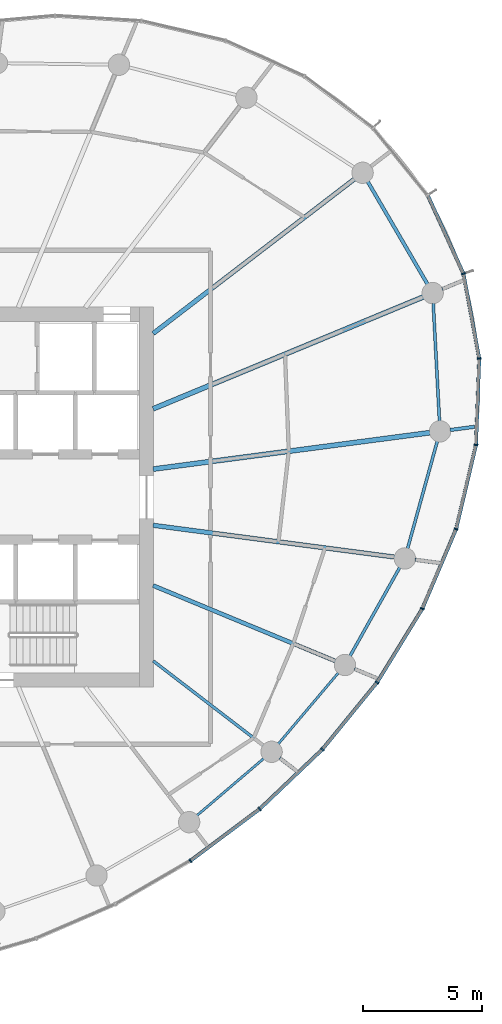
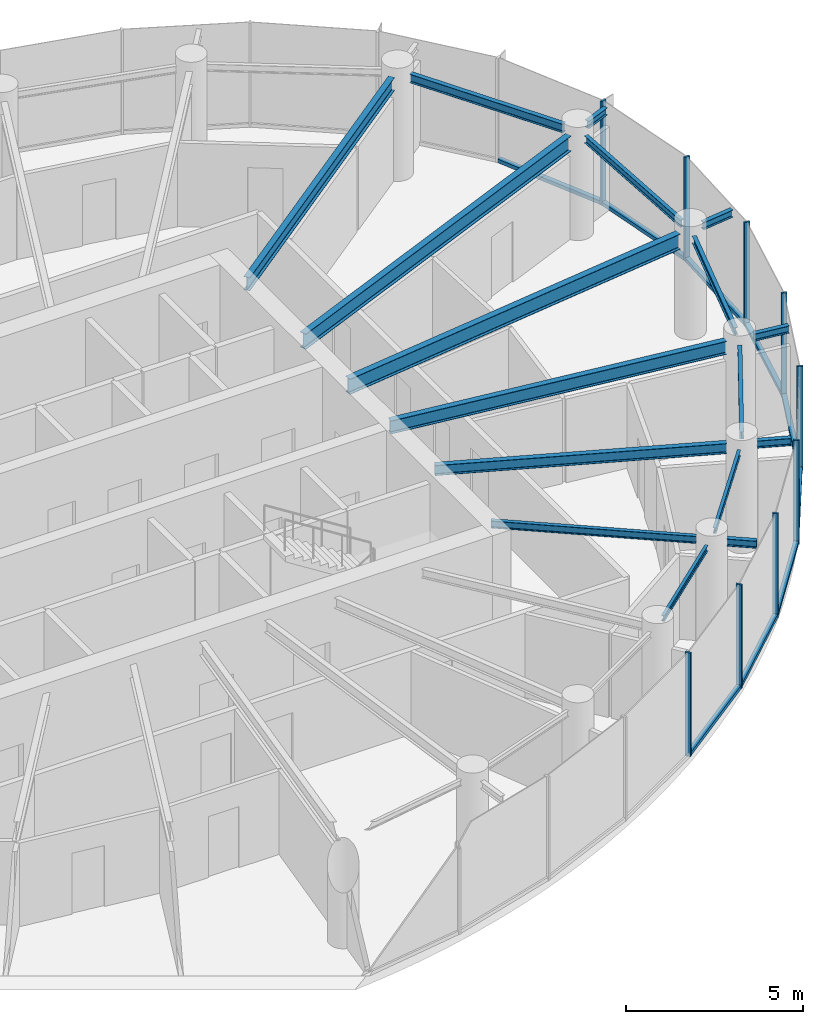
# One storey, part 5 of 15: 18 members, 17 beams, 2 elements without a shape of their own.
"""IFC4 building model written with IfcOpenShell, lengths in metres."""

import ifcopenshell
import ifcopenshell.guid

model = None  # the IFC model being written
_history = None  # IfcOwnerHistory: only IFC2X3 demands one
_inside = {}  # id of a spatial element -> (the spatial element, [elements in it])
_under = {}  # id of a project, library or spatial element -> (it, [spatial elements below it])
_declared = {}  # id of a project -> (the project, [libraries it declares])
_typed = {}  # id of a type object -> (the type object, [elements of that type])
_made_of = {}  # id of a material, layer set ... -> (it, [elements and type objects made of it])


def new_model(schema):
    """Start an empty IFC model of exactly this schema.

    Asked for "IFC4X3", IfcOpenShell would pick the latest addendum, in which some entities
    have other attributes; the version numbers below select the first issue.
    IFC2X3 requires an IfcOwnerHistory on every rooted entity: one is made here for all.
    """
    global model, _history
    if schema == "IFC4X3":
        model = ifcopenshell.file(schema_version=(4, 3, 0, 0))
    else:
        model = ifcopenshell.file(schema=schema)
    _inside.clear()
    _under.clear()
    _declared.clear()
    _typed.clear()
    _made_of.clear()
    _history = None
    if model.schema == "IFC2X3":
        org = make("IfcOrganization", Name="unknown")
        user = make(
            "IfcPersonAndOrganization",
            ThePerson=make("IfcPerson", FamilyName="unknown"),
            TheOrganization=org,
        )
        app = make(
            "IfcApplication",
            ApplicationDeveloper=org,
            Version="unknown",
            ApplicationFullName="unknown",
            ApplicationIdentifier="unknown",
        )
        _history = make(
            "IfcOwnerHistory",
            OwningUser=user,
            OwningApplication=app,
            ChangeAction="ADDED",
            CreationDate=0,
        )
    return model


def make(cls, **values):
    """One entity of the class cls with the attributes given. An attribute that is None is left unset."""
    return model.create_entity(
        cls, **{name: value for name, value in values.items() if value is not None}
    )


def rooted(cls, **values):
    """An entity with a GlobalId (a new one), such as an element, a storey or a relation."""
    return make(cls, GlobalId=ifcopenshell.guid.new(), OwnerHistory=_history, **values)


def si_unit(unit_type, name, prefix=None):
    """IfcSIUnit, for example si_unit("LENGTHUNIT", "METRE", prefix="MILLI")."""
    return make("IfcSIUnit", UnitType=unit_type, Prefix=prefix, Name=name)


def assignment(units):
    """IfcUnitAssignment: the units of a project."""
    return None if units is None else make("IfcUnitAssignment", Units=units)


def point(xyz):
    """IfcCartesianPoint."""
    return None if xyz is None else make("IfcCartesianPoint", Coordinates=xyz)


def direction(xyz):
    """IfcDirection."""
    return None if xyz is None else make("IfcDirection", DirectionRatios=xyz)


def frame(location, z_axis=None, x_axis=None):
    """IfcAxis2Placement3D, a coordinate frame: its origin and axes. An axis left out is left unset."""
    return make(
        "IfcAxis2Placement3D",
        Location=point(location),
        Axis=direction(z_axis),
        RefDirection=direction(x_axis),
    )


def frame_2d(location, x_axis=None):
    """IfcAxis2Placement2D, a coordinate frame in the plane: its origin and x axis."""
    return make(
        "IfcAxis2Placement2D", Location=point(location), RefDirection=direction(x_axis)
    )


def origin():
    """The frame at (0, 0, 0) with its axes left unset."""
    return frame((0.0, 0.0, 0.0))


def origin_2d():
    """The frame at (0, 0) in the plane with its x axis left unset."""
    return frame_2d((0.0, 0.0))


def place(relative_to, where):
    """IfcLocalPlacement: puts the frame where relative to a parent placement (None: the world)."""
    return make(
        "IfcLocalPlacement", PlacementRelTo=relative_to, RelativePlacement=where
    )


def context(
    kind, dimensions, precision=None, world=None, true_north=None, identifier=None
):
    """IfcGeometricRepresentationContext, for example the 3D "Model" context."""
    return make(
        "IfcGeometricRepresentationContext",
        ContextIdentifier=identifier,
        ContextType=kind,
        CoordinateSpaceDimension=dimensions,
        Precision=precision,
        WorldCoordinateSystem=world,
        TrueNorth=true_north,
    )


def subcontext(parent, identifier, kind, view, scale=None):
    """IfcGeometricRepresentationSubContext, for example "Body" below "Model"."""
    return make(
        "IfcGeometricRepresentationSubContext",
        ContextIdentifier=identifier,
        ContextType=kind,
        ParentContext=parent,
        TargetScale=scale,
        TargetView=view,
    )


def project(units=None, contexts=None):
    """IfcProject with its units and contexts."""
    return rooted(
        "IfcProject",
        Name="project",
        RepresentationContexts=contexts,
        UnitsInContext=assignment(units),
    )


def spatial(cls, under=None, at=None, **own):
    """A site, building, storey or space (cls), placed at a placement, below another one or the project."""
    s = rooted(cls, ObjectPlacement=at, **own)
    if under is not None:
        _under.setdefault(under.id(), (under, []))[1].append(s)
    return s


def profile(cls, at=None, kind="AREA", **sizes):
    """A parametric profile (cls). Its sizes go by their IFC names, for example OverallWidth=200.0."""
    return make(cls, ProfileType=kind, Position=at, **sizes)


def rectangle(**sizes):
    """IfcRectangleProfileDef."""
    return profile("IfcRectangleProfileDef", **sizes)


def i_section(**sizes):
    """IfcIShapeProfileDef."""
    return profile("IfcIShapeProfileDef", **sizes)


def extrude(swept, where, along, depth):
    """IfcExtrudedAreaSolid: the profile swept, set in the frame where, extruded along a direction by depth."""
    return make(
        "IfcExtrudedAreaSolid",
        SweptArea=swept,
        Position=where,
        ExtrudedDirection=direction(along),
        Depth=depth,
    )


def shape(context_of_items, identifier, shape_type, items):
    """IfcShapeRepresentation: the items that make up one representation, for example the "Body"."""
    return make(
        "IfcShapeRepresentation",
        ContextOfItems=context_of_items,
        RepresentationIdentifier=identifier,
        RepresentationType=shape_type,
        Items=items,
    )


def source(mapping_origin, context_of_items, identifier, shape_type, items):
    """IfcRepresentationMap: a shape defined once, which mapped items show again and again."""
    return make(
        "IfcRepresentationMap",
        MappingOrigin=mapping_origin,
        MappedRepresentation=shape(context_of_items, identifier, shape_type, items),
    )


def transform(
    local_origin,
    x_axis=None,
    y_axis=None,
    z_axis=None,
    scale=None,
    scale2=None,
    scale3=None,
    uniform=True,
):
    """IfcCartesianTransformationOperator3D, or its non-uniform kind. x_axis, y_axis, z_axis: its Axis1, 2, 3."""
    if uniform:
        return make(
            "IfcCartesianTransformationOperator3D",
            Axis1=direction(x_axis),
            Axis2=direction(y_axis),
            LocalOrigin=point(local_origin),
            Scale=scale,
            Axis3=direction(z_axis),
        )
    return make(
        "IfcCartesianTransformationOperator3DnonUniform",
        Axis1=direction(x_axis),
        Axis2=direction(y_axis),
        LocalOrigin=point(local_origin),
        Scale=scale,
        Axis3=direction(z_axis),
        Scale2=scale2,
        Scale3=scale3,
    )


def mapped(mapping_source, mapping_target):
    """IfcMappedItem: shows the shape of a source again, moved by a transform."""
    return make(
        "IfcMappedItem", MappingSource=mapping_source, MappingTarget=mapping_target
    )


def material(Name=None, Category=None):
    """IfcMaterial."""
    return make("IfcMaterial", Name=Name, Category=Category)


def layer(
    of_material, thickness, ventilated=None, Name=None, Category=None, Priority=None
):
    """IfcMaterialLayer: one layer of a wall or slab, of a material (None: an air gap)."""
    return make(
        "IfcMaterialLayer",
        Material=of_material,
        LayerThickness=thickness,
        IsVentilated=ventilated,
        Name=Name,
        Category=Category,
        Priority=Priority,
    )


def layer_set(layers, Name=None):
    """IfcMaterialLayerSet."""
    return make("IfcMaterialLayerSet", MaterialLayers=layers, LayerSetName=Name)


def material_profile(
    of_material, cross_section, Name=None, Category=None, Priority=None
):
    """IfcMaterialProfile: a cross section and its material."""
    return make(
        "IfcMaterialProfile",
        Name=Name,
        Material=of_material,
        Profile=cross_section,
        Priority=Priority,
        Category=Category,
    )


def profile_set(profiles, Name=None, composite=None):
    """IfcMaterialProfileSet."""
    return make(
        "IfcMaterialProfileSet",
        Name=Name,
        MaterialProfiles=profiles,
        CompositeProfile=composite,
    )


def made_of(thing, what):
    """Note that an element or type object is made of a material, layer set ...; save() writes the relation."""
    if what is not None:
        _made_of.setdefault(what.id(), (what, []))[1].append(thing)
    return thing


def type_object(cls, material=None, **own):
    """A type object (cls), such as IfcWallType, which elements share."""
    return made_of(rooted(cls, **own), material)


def element(
    cls,
    number,
    at=None,
    inside=None,
    cuts=None,
    type_object=None,
    material=None,
    context=None,
    identifier="Body",
    shape_type=None,
    held_by="IfcProductDefinitionShape",
    body=None,
    shapes=None,
    **own,
):
    """One element of the class cls, such as IfcWall. Its Tag is "e" and its number.

    at: its placement. inside: the storey or other place that contains it. cuts: it is an
    opening in that element (IfcRelVoidsElement). A single representation is given by context,
    identifier, shape_type and body (its items); several are given by shapes. held_by: the class
    of the entity that holds the representations. save() writes the other relations.
    """
    e = rooted(cls, Tag="e%d" % number, ObjectPlacement=at, **own)
    if body is not None:
        shapes = [shape(context, identifier, shape_type, body)]
    if shapes is not None:
        e.Representation = make(held_by, Representations=shapes)
    if inside is not None:
        _inside.setdefault(inside.id(), (inside, []))[1].append(e)
    if cuts is not None:
        rooted(
            "IfcRelVoidsElement", RelatingBuildingElement=cuts, RelatedOpeningElement=e
        )
    if type_object is not None:
        _typed.setdefault(type_object.id(), (type_object, []))[1].append(e)
    return made_of(e, material)


def aggregate(whole, parts):
    """IfcRelAggregates: a whole, such as a stair, and the parts it consists of."""
    return rooted("IfcRelAggregates", RelatingObject=whole, RelatedObjects=parts)


def save(model, path):
    """Write the relations noted so far, then the file.

    IfcRelAggregates (storeys below a building ...), IfcRelContainedInSpatialStructure (elements
    in a storey), IfcRelDefinesByType, IfcRelAssociatesMaterial and IfcRelDeclares: one each for
    every whole, place, type object, material and project.
    """
    for whole, parts in _under.values():
        aggregate(whole, parts)
    for where, things in _inside.values():
        rooted(
            "IfcRelContainedInSpatialStructure",
            RelatedElements=things,
            RelatingStructure=where,
        )
    for kind, things in _typed.values():
        rooted("IfcRelDefinesByType", RelatedObjects=things, RelatingType=kind)
    for what, things in _made_of.values():
        rooted("IfcRelAssociatesMaterial", RelatedObjects=things, RelatingMaterial=what)
    for by, libraries in _declared.values():
        rooted("IfcRelDeclares", RelatingContext=by, RelatedDefinitions=libraries)
    model.write(path)


model = new_model("IFC4")

# Units and contexts
model_context = context("Model", 3, precision=1e-05, world=origin(), true_north=direction((0.0, 1.0)))
body_context = subcontext(model_context, "Body", "Model", "MODEL_VIEW")
ifc_project = project(units=[si_unit("LENGTHUNIT", "METRE"), si_unit("AREAUNIT", "SQUARE_METRE"), si_unit("VOLUMEUNIT", "CUBIC_METRE"), si_unit("PLANEANGLEUNIT", "RADIAN"), si_unit("MASSUNIT", "GRAM", prefix="KILO")], contexts=[model_context])

# Site, building, storey
site_placement = place(None, origin())
site = spatial("IfcSite", under=ifc_project, at=site_placement, CompositionType="ELEMENT")
building_placement = place(site_placement, origin())
building = spatial("IfcBuilding", under=site, at=building_placement, Name="Spindrift Exchange Tower", CompositionType="ELEMENT")
storey_placement = place(building_placement, frame((0.0, 0.0, 199.39990234375)))
storey = spatial("IfcBuildingStorey", under=building, at=storey_placement, Name="L48", CompositionType="ELEMENT", Elevation=199.39990234375)

# Beams
ifc_material_1 = material(Name="Steel Grade 300", Category="steel")
ifc_material_profile_1 = material_profile(ifc_material_1, i_section(OverallWidth=0.14599609375, OverallDepth=0.251953125, WebThickness=0.006103515625, FlangeThickness=0.008544921875, FilletRadius=0.011962890625, at=origin_2d()), Name="250UB31.4")
ifc_profile_set_1 = profile_set([ifc_material_profile_1], Name="Steel Grade 300")
beam_type_1 = type_object("IfcBeamType", Name="Cantilever Beam 250UB31.4 Steel Grade 300", PredefinedType="BEAM", material=ifc_profile_set_1)
shared_shape_1 = source(origin(), body_context, "Body", "SweptSolid", [
    extrude(i_section(OverallWidth=0.14599609375, OverallDepth=0.251953125, WebThickness=0.006103515625, FlangeThickness=0.008544921875, FilletRadius=0.011962890625, at=origin_2d()), origin(), (0.0, 0.0, 1.0), 0.859619140625),
])
beam_1_placement = place(storey_placement, frame((73.150390625, 56.7607421875, 3.4541015625), z_axis=(0.923923380362, 0.382577557131, 0.0), x_axis=(-0.382577557131, 0.923923380362, 0.0)))
element("IfcBeam", 1, at=beam_1_placement, inside=storey, type_object=beam_type_1, Name="L48 cantilever beam R02T", PredefinedType="BEAM", context=body_context, shape_type="MappedRepresentation", body=[
    mapped(shared_shape_1, transform((0.0, 0.0, 0.0), scale=1.0)),
])
ifc_material_profile_2 = material_profile(ifc_material_1, i_section(OverallWidth=0.208984375, OverallDepth=0.528076171875, WebThickness=0.009521484375, FlangeThickness=0.01318359375, FilletRadius=0.013916015625, at=origin_2d()), Name="530UB82.0")
ifc_profile_set_2 = profile_set([ifc_material_profile_2], Name="Steel Grade 300")
beam_type_2 = type_object("IfcBeamType", Name="Floor Beam 530UB82.0 Steel Grade 300", PredefinedType="BEAM", material=ifc_profile_set_2)
shared_shape_2 = source(origin(), body_context, "Body", "SweptSolid", [
    extrude(i_section(OverallWidth=0.208984375, OverallDepth=0.528076171875, WebThickness=0.009521484375, FlangeThickness=0.01318359375, FilletRadius=0.013916015625, at=origin_2d()), origin(), (0.0, 0.0, 1.0), 11.75634765625),
])
beam_2_placement = place(storey_placement, frame((60.980224609375, 49.182373046875, 3.316162109375), z_axis=(0.991445811455, 0.13051897543, 0.0), x_axis=(-0.13051897543, 0.991445811455, 0.0)))
element("IfcBeam", 2, at=beam_2_placement, inside=storey, type_object=beam_type_2, Name="L48 radial beam R01A", PredefinedType="BEAM", context=body_context, shape_type="MappedRepresentation", body=[
    mapped(shared_shape_2, transform((0.0, 0.0, 0.0), scale=1.0)),
])
shared_shape_3 = source(origin(), body_context, "Body", "SweptSolid", [
    extrude(i_section(OverallWidth=0.208984375, OverallDepth=0.528076171875, WebThickness=0.009521484375, FlangeThickness=0.01318359375, FilletRadius=0.013916015625, at=origin_2d()), origin(), (0.0, 0.0, 1.0), 12.3115234375),
])
beam_3_placement = place(storey_placement, frame((60.9814453125, 51.72021484375, 3.316162109375), z_axis=(0.923878099838, 0.382686891126, 0.0), x_axis=(-0.382686891126, 0.923878099838, 0.0)))
element("IfcBeam", 3, at=beam_3_placement, inside=storey, type_object=beam_type_2, Name="L48 radial beam R02A", PredefinedType="BEAM", context=body_context, shape_type="MappedRepresentation", body=[
    mapped(shared_shape_3, transform((0.0, 0.0, 0.0), scale=1.0)),
])
ifc_material_profile_3 = material_profile(ifc_material_1, i_section(OverallWidth=0.18994140625, OverallDepth=0.4541015625, WebThickness=0.008544921875, FlangeThickness=0.0126953125, FilletRadius=0.013916015625, at=origin_2d()), Name="460UB67.1")
ifc_profile_set_3 = profile_set([ifc_material_profile_3], Name="Steel Grade 300")
beam_type_3 = type_object("IfcBeamType", Name="Floor Beam 460UB67.1 Steel Grade 300", PredefinedType="BEAM", material=ifc_profile_set_3)
shared_shape_4 = source(origin(), body_context, "Body", "SweptSolid", [
    extrude(i_section(OverallWidth=0.18994140625, OverallDepth=0.4541015625, WebThickness=0.008544921875, FlangeThickness=0.0126953125, FilletRadius=0.013916015625, at=origin_2d()), origin(), (0.0, 0.0, 1.0), 10.684814453125),
])
beam_4_placement = place(storey_placement, frame((60.984130859375, 54.893798828125, 3.35302734375), z_axis=(0.793357316898, 0.608756246559, 0.0), x_axis=(-0.608756246559, 0.793357316898, 0.0)))
element("IfcBeam", 4, at=beam_4_placement, inside=storey, type_object=beam_type_3, Name="L48 radial beam R03A", PredefinedType="BEAM", context=body_context, shape_type="MappedRepresentation", body=[
    mapped(shared_shape_4, transform((0.0, 0.0, 0.0), scale=1.0)),
])
ifc_material_profile_4 = material_profile(ifc_material_1, i_section(OverallWidth=0.1240234375, OverallDepth=0.248046875, WebThickness=0.0048828125, FlangeThickness=0.008056640625, FilletRadius=0.011962890625, at=origin_2d()), Name="250UB25.7")
ifc_profile_set_4 = profile_set([ifc_material_profile_4], Name="Steel Grade 300")
beam_type_4 = type_object("IfcBeamType", Name="Floor Beam 250UB25.7 Steel Grade 300", PredefinedType="BEAM", material=ifc_profile_set_4)
shared_shape_5 = source(origin(), body_context, "Body", "SweptSolid", [
    extrude(i_section(OverallWidth=0.1240234375, OverallDepth=0.248046875, WebThickness=0.0048828125, FlangeThickness=0.008056640625, FilletRadius=0.011962890625, at=origin_2d()), origin(), (0.0, 0.0, 1.0), 5.855712890625),
])
beam_5_placement = place(storey_placement, frame((60.984130859375, 41.106201171875, 3.4560546875), z_axis=(0.793362708479, -0.608749219954, 0.0), x_axis=(0.608749219954, 0.793362708479, 0.0)))
element("IfcBeam", 5, at=beam_5_placement, inside=storey, type_object=beam_type_4, Name="L48 radial beam R22A", PredefinedType="BEAM", context=body_context, shape_type="MappedRepresentation", body=[
    mapped(shared_shape_5, transform((0.0, 0.0, 0.0), scale=1.0)),
])
ifc_material_profile_5 = material_profile(ifc_material_1, i_section(OverallWidth=0.1708984375, OverallDepth=0.35205078125, WebThickness=0.0068359375, FlangeThickness=0.009765625, FilletRadius=0.013916015625, at=origin_2d()), Name="360UB44.7")
ifc_profile_set_5 = profile_set([ifc_material_profile_5], Name="Steel Grade 300")
beam_type_5 = type_object("IfcBeamType", Name="Floor Beam 360UB44.7 Steel Grade 300", PredefinedType="BEAM", material=ifc_profile_set_5)
shared_shape_6 = source(origin(), body_context, "Body", "SweptSolid", [
    extrude(i_section(OverallWidth=0.1708984375, OverallDepth=0.35205078125, WebThickness=0.0068359375, FlangeThickness=0.009765625, FilletRadius=0.013916015625, at=origin_2d()), origin(), (0.0, 0.0, 1.0), 8.3134765625),
])
beam_6_placement = place(storey_placement, frame((60.9814453125, 44.27978515625, 3.404052734375), z_axis=(0.923881179957, -0.382679455055, 0.0), x_axis=(0.382679455055, 0.923881179957, 0.0)))
element("IfcBeam", 6, at=beam_6_placement, inside=storey, type_object=beam_type_5, Name="L48 radial beam R23A", PredefinedType="BEAM", context=body_context, shape_type="MappedRepresentation", body=[
    mapped(shared_shape_6, transform((0.0, 0.0, 0.0), scale=1.0)),
])
shared_shape_7 = source(origin(), body_context, "Body", "SweptSolid", [
    extrude(i_section(OverallWidth=0.18994140625, OverallDepth=0.4541015625, WebThickness=0.008544921875, FlangeThickness=0.0126953125, FilletRadius=0.013916015625, at=origin_2d()), origin(), (0.0, 0.0, 1.0), 10.262451171875),
])
beam_7_placement = place(storey_placement, frame((60.980224609375, 46.817626953125, 3.35302734375), z_axis=(0.991446763371, -0.130511744304, 0.0), x_axis=(0.130511744304, 0.991446763371, 0.0)))
element("IfcBeam", 7, at=beam_7_placement, inside=storey, type_object=beam_type_3, Name="L48 radial beam R24A", PredefinedType="BEAM", context=body_context, shape_type="MappedRepresentation", body=[
    mapped(shared_shape_7, transform((0.0, 0.0, 0.0), scale=1.0)),
])
ifc_material_profile_6 = material_profile(ifc_material_1, i_section(OverallWidth=0.1240234375, OverallDepth=0.248046875, WebThickness=0.0048828125, FlangeThickness=0.008056640625, FilletRadius=0.011962890625, at=origin_2d()), Name="250UB25.7")
ifc_profile_set_6 = profile_set([ifc_material_profile_6], Name="Steel Grade 300")
beam_type_6 = type_object("IfcBeamType", Name="Edge Beam 250UB25.7 Steel Grade 300", PredefinedType="SPANDREL", material=ifc_profile_set_6)
shared_shape_8 = source(origin(), body_context, "Body", "SweptSolid", [
    extrude(i_section(OverallWidth=0.1240234375, OverallDepth=0.248046875, WebThickness=0.0048828125, FlangeThickness=0.008056640625, FilletRadius=0.011962890625, at=origin_2d()), origin(), (0.0, 0.0, 1.0), 4.971435546875),
])
beam_8_placement = place(storey_placement, frame((73.03955078125, 51.202392578125, 3.4560546875), z_axis=(-0.053038255124, 0.998592481192, 0.0), x_axis=(-0.998592481192, -0.053038255124, 0.0)))
element("IfcBeam", 8, at=beam_8_placement, inside=storey, type_object=beam_type_6, Name="L48 edge beam E01", PredefinedType="SPANDREL", context=body_context, shape_type="MappedRepresentation", body=[
    mapped(shared_shape_8, transform((0.0, 0.0, 0.0), scale=1.0)),
])
ifc_material_profile_7 = material_profile(ifc_material_1, i_section(OverallWidth=0.14892578125, OverallDepth=0.298095703125, WebThickness=0.005615234375, FlangeThickness=0.008056640625, FilletRadius=0.012939453125, at=origin_2d()), Name="310UB32.0")
ifc_profile_set_7 = profile_set([ifc_material_profile_7], Name="Steel Grade 300")
beam_type_7 = type_object("IfcBeamType", Name="Edge Beam 310UB32.0 Steel Grade 300", PredefinedType="SPANDREL", material=ifc_profile_set_7)
shared_shape_9 = source(origin(), body_context, "Body", "SweptSolid", [
    extrude(i_section(OverallWidth=0.14892578125, OverallDepth=0.298095703125, WebThickness=0.005615234375, FlangeThickness=0.008056640625, FilletRadius=0.012939453125, at=origin_2d()), origin(), (0.0, 0.0, 1.0), 5.0009765625),
])
beam_9_placement = place(storey_placement, frame((72.53662109375, 56.9677734375, 3.43115234375), z_axis=(-0.503512812094, 0.863987759205, 0.0), x_axis=(-0.863987759205, -0.503512812094, 0.0)))
element("IfcBeam", 9, at=beam_9_placement, inside=storey, type_object=beam_type_7, Name="L48 edge beam E02", PredefinedType="SPANDREL", context=body_context, shape_type="MappedRepresentation", body=[
    mapped(shared_shape_9, transform((0.0, 0.0, 0.0), scale=1.0)),
])
ifc_material_profile_8 = material_profile(ifc_material_1, i_section(OverallWidth=0.09912109375, OverallDepth=0.197998046875, WebThickness=0.00439453125, FlangeThickness=0.007080078125, FilletRadius=0.010986328125, at=origin_2d()), Name="200UB18.2")
ifc_profile_set_8 = profile_set([ifc_material_profile_8], Name="Steel Grade 300")
beam_type_8 = type_object("IfcBeamType", Name="Edge Beam 200UB18.2 Steel Grade 300", PredefinedType="SPANDREL", material=ifc_profile_set_8)
shared_shape_10 = source(origin(), body_context, "Body", "SweptSolid", [
    extrude(i_section(OverallWidth=0.09912109375, OverallDepth=0.197998046875, WebThickness=0.00439453125, FlangeThickness=0.007080078125, FilletRadius=0.010986328125, at=origin_2d()), origin(), (0.0, 0.0, 1.0), 3.703857421875),
])
beam_10_placement = place(storey_placement, frame((62.826416015625, 34.59619140625, 3.481201171875), z_axis=(0.7606692863, 0.64913961278, 0.0), x_axis=(-0.64913961278, 0.7606692863, 0.0)))
element("IfcBeam", 10, at=beam_10_placement, inside=storey, type_object=beam_type_8, Name="L48 edge beam E21", PredefinedType="SPANDREL", context=body_context, shape_type="MappedRepresentation", body=[
    mapped(shared_shape_10, transform((0.0, 0.0, 0.0), scale=1.0)),
])
shared_shape_11 = source(origin(), body_context, "Body", "SweptSolid", [
    extrude(i_section(OverallWidth=0.09912109375, OverallDepth=0.197998046875, WebThickness=0.00439453125, FlangeThickness=0.007080078125, FilletRadius=0.010986328125, at=origin_2d()), origin(), (0.0, 0.0, 1.0), 3.92431640625),
])
beam_11_placement = place(storey_placement, frame((66.24853515625, 37.608154296875, 3.481201171875), z_axis=(0.645498720032, 0.763761351757, 0.0), x_axis=(-0.763761351757, 0.645498720032, 0.0)))
element("IfcBeam", 11, at=beam_11_placement, inside=storey, type_object=beam_type_8, Name="L48 edge beam E22", PredefinedType="SPANDREL", context=body_context, shape_type="MappedRepresentation", body=[
    mapped(shared_shape_11, transform((0.0, 0.0, 0.0), scale=1.0)),
])
shared_shape_12 = source(origin(), body_context, "Body", "SweptSolid", [
    extrude(i_section(OverallWidth=0.1240234375, OverallDepth=0.248046875, WebThickness=0.0048828125, FlangeThickness=0.008056640625, FilletRadius=0.011962890625, at=origin_2d()), origin(), (0.0, 0.0, 1.0), 4.2880859375),
])
beam_12_placement = place(storey_placement, frame((69.27001953125, 41.30859375, 3.4560546875), z_axis=(0.489804347673, 0.871832381253, 0.0), x_axis=(-0.871832381253, 0.489804347673, 0.0)))
element("IfcBeam", 12, at=beam_12_placement, inside=storey, type_object=beam_type_6, Name="L48 edge beam E23", PredefinedType="SPANDREL", context=body_context, shape_type="MappedRepresentation", body=[
    mapped(shared_shape_12, transform((0.0, 0.0, 0.0), scale=1.0)),
])
shared_shape_13 = source(origin(), body_context, "Body", "SweptSolid", [
    extrude(i_section(OverallWidth=0.1240234375, OverallDepth=0.248046875, WebThickness=0.0048828125, FlangeThickness=0.008056640625, FilletRadius=0.011962890625, at=origin_2d()), origin(), (0.0, 0.0, 1.0), 4.69189453125),
])
beam_13_placement = place(storey_placement, frame((71.69580078125, 45.83642578125, 3.4560546875), z_axis=(0.266774248618, 0.963759046792, 0.0), x_axis=(-0.963759046792, 0.266774248618, 0.0)))
element("IfcBeam", 13, at=beam_13_placement, inside=storey, type_object=beam_type_6, Name="L48 edge beam E24", PredefinedType="SPANDREL", context=body_context, shape_type="MappedRepresentation", body=[
    mapped(shared_shape_13, transform((0.0, 0.0, 0.0), scale=1.0)),
])
shared_shape_14 = source(origin(), body_context, "Body", "SweptSolid", [
    extrude(i_section(OverallWidth=0.14599609375, OverallDepth=0.251953125, WebThickness=0.006103515625, FlangeThickness=0.008544921875, FilletRadius=0.011962890625, at=origin_2d()), origin(), (0.0, 0.0, 1.0), 1.0380859375),
])
beam_14_placement = place(storey_placement, frame((73.488525390625, 50.8291015625, 3.4541015625), z_axis=(0.991446289497, 0.130515344087, 0.0), x_axis=(-0.130515344087, 0.991446289497, 0.0)))
element("IfcBeam", 14, at=beam_14_placement, inside=storey, type_object=beam_type_1, Name="L48 cantilever beam R01T", PredefinedType="BEAM", context=body_context, shape_type="MappedRepresentation", body=[
    mapped(shared_shape_14, transform((0.0, 0.0, 0.0), scale=1.0)),
])
shared_shape_15 = source(origin(), body_context, "Body", "SweptSolid", [
    extrude(i_section(OverallWidth=0.14599609375, OverallDepth=0.251953125, WebThickness=0.006103515625, FlangeThickness=0.008544921875, FilletRadius=0.011962890625, at=origin_2d()), origin(), (0.0, 0.0, 1.0), 0.850341796875),
])
beam_15_placement = place(storey_placement, frame((66.31201171875, 37.017822265625, 3.4541015625), z_axis=(0.793476968481, -0.608600279732, 0.0), x_axis=(0.608600279732, 0.793476968481, 0.0)))
element("IfcBeam", 15, at=beam_15_placement, inside=storey, type_object=beam_type_1, Name="L48 cantilever beam R22T", PredefinedType="BEAM", context=body_context, shape_type="MappedRepresentation", body=[
    mapped(shared_shape_15, transform((0.0, 0.0, 0.0), scale=1.0)),
])
shared_shape_16 = source(origin(), body_context, "Body", "SweptSolid", [
    extrude(i_section(OverallWidth=0.14599609375, OverallDepth=0.251953125, WebThickness=0.006103515625, FlangeThickness=0.008544921875, FilletRadius=0.011962890625, at=origin_2d()), origin(), (0.0, 0.0, 1.0), 0.97412109375),
])
beam_16_placement = place(storey_placement, frame((69.456787109375, 40.769287109375, 3.4541015625), z_axis=(0.923861027853, -0.382728103508, 0.0), x_axis=(0.382728103508, 0.923861027853, 0.0)))
element("IfcBeam", 16, at=beam_16_placement, inside=storey, type_object=beam_type_1, Name="L48 cantilever beam R23T", PredefinedType="BEAM", context=body_context, shape_type="MappedRepresentation", body=[
    mapped(shared_shape_16, transform((0.0, 0.0, 0.0), scale=1.0)),
])
shared_shape_17 = source(origin(), body_context, "Body", "SweptSolid", [
    extrude(i_section(OverallWidth=0.14599609375, OverallDepth=0.251953125, WebThickness=0.006103515625, FlangeThickness=0.008544921875, FilletRadius=0.011962890625, at=origin_2d()), origin(), (0.0, 0.0, 1.0), 1.058837890625),
])
beam_17_placement = place(storey_placement, frame((72.00732421875, 45.365966796875, 3.4541015625), z_axis=(0.991448016129, -0.130502227239, 0.0), x_axis=(0.130502227239, 0.991448016129, 0.0)))
element("IfcBeam", 17, at=beam_17_placement, inside=storey, type_object=beam_type_1, Name="L48 cantilever beam R24T", PredefinedType="BEAM", context=body_context, shape_type="MappedRepresentation", body=[
    mapped(shared_shape_17, transform((0.0, 0.0, 0.0), scale=1.0)),
])

# Curtain wall, members
ifc_material_2 = material(Name="Fritted laminated glass with bronze frame", Category="glass")
ifc_layer = layer(ifc_material_2, 0.169921875)
ifc_layer_set = layer_set([ifc_layer], Name="ZONE 4 BRONZE FRITTED WALL")
curtain_wall_type = type_object("IfcCurtainWallType", Name="ZONE 4 BRONZE FRITTED WALL", PredefinedType="NOTDEFINED", material=ifc_layer_set)
curtain_wall_1_placement = place(storey_placement, origin())
curtain_wall_1 = element("IfcCurtainWall", 18, at=curtain_wall_1_placement, inside=storey, type_object=curtain_wall_type, Name="L48 Zone 4 Bronze Fritted Wall run 5", PredefinedType="NOTDEFINED")
ifc_material_3 = material(Name="Bronze anodised aluminium", Category="aluminium")
ifc_material_profile_9 = material_profile(ifc_material_3, rectangle(XDim=0.14990234375, YDim=0.125, at=origin_2d()), Name="ZONE 4 BRONZE FRITTED WALL TRANSOM 150X125")
ifc_profile_set_9 = profile_set([ifc_material_profile_9], Name="Bronze anodised aluminium")
member_type_1 = type_object("IfcMemberType", Name="ZONE 4 BRONZE FRITTED WALL TRANSOM 150X125", PredefinedType="USERDEFINED", material=ifc_profile_set_9)
shared_shape_18 = source(origin(), body_context, "Body", "SweptSolid", [
    extrude(rectangle(XDim=0.14990234375, YDim=0.125, at=origin_2d()), origin(), (0.0, 0.0, 1.0), 3.57763671875),
])
member_1_placement = place(storey_placement, frame((62.57763671875, 32.709228515625, 0.0625), z_axis=(0.801030643867, 0.59862334367, 0.0), x_axis=(-0.59862334367, 0.801030643867, 0.0)))
member_1 = element("IfcMember", 19, at=member_1_placement, type_object=member_type_1, Name="L48 transom CW-4.29", ObjectType="TRANSOM", PredefinedType="USERDEFINED", context=body_context, shape_type="MappedRepresentation", body=[
    mapped(shared_shape_18, transform((0.0, 0.0, 0.0), scale=1.0)),
])
member_2_placement = place(storey_placement, frame((65.4931640625, 34.892822265625, 0.0625), z_axis=(0.724394297567, 0.689385887332, 0.0), x_axis=(-0.689385887332, 0.724394297567, 0.0)))
member_2 = element("IfcMember", 20, at=member_2_placement, type_object=member_type_1, Name="L48 transom CW-4.30", ObjectType="TRANSOM", PredefinedType="USERDEFINED", context=body_context, shape_type="MappedRepresentation", body=[
    mapped(shared_shape_18, transform((0.0, 0.0, 0.0), scale=1.0)),
])

curtain_wall_2_placement = place(storey_placement, origin())
curtain_wall_2 = element("IfcCurtainWall", 21, at=curtain_wall_2_placement, inside=storey, type_object=curtain_wall_type, Name="L48 Zone 4 Bronze Fritted Wall run 6", PredefinedType="NOTDEFINED")
shared_shape_19 = source(origin(), body_context, "Body", "SweptSolid", [
    extrude(rectangle(XDim=0.14990234375, YDim=0.125, at=origin_2d()), origin(), (0.0, 0.0, 1.0), 3.570068359375),
])
member_3_placement = place(storey_placement, frame((74.0361328125, 57.44091796875, 0.0625), z_axis=(-0.414812512921, 0.909906906845, 0.0), x_axis=(-0.909906906845, -0.414812512921, 0.0)))
member_3 = element("IfcMember", 22, at=member_3_placement, type_object=member_type_1, Name="L48 transom CW-4.37", ObjectType="TRANSOM", PredefinedType="USERDEFINED", context=body_context, shape_type="MappedRepresentation", body=[
    mapped(shared_shape_19, transform((0.0, 0.0, 0.0), scale=1.0)),
])
shared_shape_20 = source(origin(), body_context, "Body", "SweptSolid", [
    extrude(rectangle(XDim=0.14990234375, YDim=0.125, at=origin_2d()), origin(), (0.0, 0.0, 1.0), 3.577392578125),
])
member_4_placement = place(storey_placement, frame((68.128662109375, 37.40673828125, 0.0625), z_axis=(0.632899547873, 0.774233919627, 0.0), x_axis=(-0.774233919627, 0.632899547873, 0.0)))
member_4 = element("IfcMember", 23, at=member_4_placement, type_object=member_type_1, Name="L48 transom CW-4.31", ObjectType="TRANSOM", PredefinedType="USERDEFINED", context=body_context, shape_type="MappedRepresentation", body=[
    mapped(shared_shape_20, transform((0.0, 0.0, 0.0), scale=1.0)),
])

# Member
ifc_material_profile_10 = material_profile(ifc_material_3, rectangle(XDim=0.06494140625, YDim=0.169921875, at=origin_2d()), Name="ZONE 4 BRONZE FRITTED WALL MULLION 65X170")
ifc_profile_set_10 = profile_set([ifc_material_profile_10], Name="Bronze anodised aluminium")
member_type_2 = type_object("IfcMemberType", Name="ZONE 4 BRONZE FRITTED WALL MULLION 65X170", PredefinedType="MULLION", material=ifc_profile_set_10)
shared_shape_21 = source(origin(), body_context, "Body", "SweptSolid", [
    extrude(rectangle(XDim=0.06494140625, YDim=0.169921875, at=origin_2d()), origin(), (0.0, 0.0, 1.0), 3.580078125),
])
member_5_placement = place(storey_placement, frame((62.551513671875, 32.689697265625, 0.0), z_axis=(0.0, 0.0, 1.0), x_axis=(0.83450374511, 0.551002268051, 0.0)))
member_5 = element("IfcMember", 24, at=member_5_placement, type_object=member_type_2, Name="L48 mullion CW-4.29", PredefinedType="MULLION", context=body_context, shape_type="MappedRepresentation", body=[
    mapped(shared_shape_21, transform((0.0, 0.0, 0.0), scale=1.0)),
])

member_6_placement = place(storey_placement, frame((65.469482421875, 34.870361328125, 0.0), z_axis=(0.0, 0.0, 1.0), x_axis=(0.764064827323, 0.645139473019, 0.0)))
member_6 = element("IfcMember", 25, at=member_6_placement, type_object=member_type_2, Name="L48 mullion CW-4.30", PredefinedType="MULLION", context=body_context, shape_type="MappedRepresentation", body=[
    mapped(shared_shape_21, transform((0.0, 0.0, 0.0), scale=1.0)),
])

aggregate(curtain_wall_1, [member_5, member_1, member_6, member_2])

member_7_placement = place(storey_placement, frame((68.108154296875, 37.381591796875, 0.0), z_axis=(0.0, 0.0, 1.0), x_axis=(0.679962347966, 0.733247028871, 0.0)))
member_7 = element("IfcMember", 26, at=member_7_placement, type_object=member_type_2, Name="L48 mullion CW-4.31", PredefinedType="MULLION", context=body_context, shape_type="MappedRepresentation", body=[
    mapped(shared_shape_21, transform((0.0, 0.0, 0.0), scale=1.0)),
])

member_8_placement = place(storey_placement, frame((70.413330078125, 40.20166015625, 0.0), z_axis=(0.0, 0.0, 1.0), x_axis=(0.579298585092, 0.815115420852, 0.0)))
member_8 = element("IfcMember", 27, at=member_8_placement, type_object=member_type_2, Name="L48 mullion CW-4.32", PredefinedType="MULLION", context=body_context, shape_type="MappedRepresentation", body=[
    mapped(shared_shape_21, transform((0.0, 0.0, 0.0), scale=1.0)),
])

member_9_placement = place(storey_placement, frame((72.318359375, 43.305419921875, 0.0), z_axis=(0.0, 0.0, 1.0), x_axis=(0.458034513563, 0.888934409496, 0.0)))
member_9 = element("IfcMember", 28, at=member_9_placement, type_object=member_type_2, Name="L48 mullion CW-4.33", PredefinedType="MULLION", context=body_context, shape_type="MappedRepresentation", body=[
    mapped(shared_shape_21, transform((0.0, 0.0, 0.0), scale=1.0)),
])

member_10_placement = place(storey_placement, frame((73.739990234375, 46.65771484375, 0.0), z_axis=(0.0, 0.0, 1.0), x_axis=(0.311210588094, 0.950340975576, 0.0)))
member_10 = element("IfcMember", 29, at=member_10_placement, type_object=member_type_2, Name="L48 mullion CW-4.34", PredefinedType="MULLION", context=body_context, shape_type="MappedRepresentation", body=[
    mapped(shared_shape_21, transform((0.0, 0.0, 0.0), scale=1.0)),
])

member_11_placement = place(storey_placement, frame((74.576416015625, 50.2001953125, 0.0), z_axis=(0.0, 0.0, 1.0), x_axis=(0.134380745738, 0.990929773079, 0.0)))
member_11 = element("IfcMember", 30, at=member_11_placement, type_object=member_type_2, Name="L48 mullion CW-4.35", PredefinedType="MULLION", context=body_context, shape_type="MappedRepresentation", body=[
    mapped(shared_shape_21, transform((0.0, 0.0, 0.0), scale=1.0)),
])

member_12_placement = place(storey_placement, frame((74.713623046875, 53.8359375, 0.0), z_axis=(0.0, 0.0, 1.0), x_axis=(-0.07287341396, 0.997341198155, 0.0)))
member_12 = element("IfcMember", 31, at=member_12_placement, type_object=member_type_2, Name="L48 mullion CW-4.36", PredefinedType="MULLION", context=body_context, shape_type="MappedRepresentation", body=[
    mapped(shared_shape_21, transform((0.0, 0.0, 0.0), scale=1.0)),
])

member_13_placement = place(storey_placement, frame((74.049560546875, 57.411376953125, 0.0), z_axis=(0.0, 0.0, 1.0), x_axis=(-0.300949338843, 0.953640128901, 0.0)))
member_13 = element("IfcMember", 32, at=member_13_placement, type_object=member_type_2, Name="L48 mullion CW-4.37", PredefinedType="MULLION", context=body_context, shape_type="MappedRepresentation", body=[
    mapped(shared_shape_21, transform((0.0, 0.0, 0.0), scale=1.0)),
])

shared_shape_22 = source(origin(), body_context, "Body", "SweptSolid", [
    extrude(rectangle(XDim=0.14990234375, YDim=0.125, at=origin_2d()), origin(), (0.0, 0.0, 1.0), 3.576904296875),
])
member_14_placement = place(storey_placement, frame((70.430419921875, 40.229248046875, 0.0625), z_axis=(0.523091718785, 0.852276395155, 0.0), x_axis=(-0.852276395155, 0.523091718785, 0.0)))
member_14 = element("IfcMember", 33, at=member_14_placement, type_object=member_type_1, Name="L48 transom CW-4.32", ObjectType="TRANSOM", PredefinedType="USERDEFINED", context=body_context, shape_type="MappedRepresentation", body=[
    mapped(shared_shape_22, transform((0.0, 0.0, 0.0), scale=1.0)),
])

shared_shape_23 = source(origin(), body_context, "Body", "SweptSolid", [
    extrude(rectangle(XDim=0.14990234375, YDim=0.125, at=origin_2d()), origin(), (0.0, 0.0, 1.0), 3.571533203125),
])
member_15_placement = place(storey_placement, frame((74.707763671875, 53.867919921875, 0.0625), z_axis=(-0.182649775732, 0.983178040553, 0.0), x_axis=(-0.983178040553, -0.182649775732, 0.0)))
member_15 = element("IfcMember", 34, at=member_15_placement, type_object=member_type_1, Name="L48 transom CW-4.36", ObjectType="TRANSOM", PredefinedType="USERDEFINED", context=body_context, shape_type="MappedRepresentation", body=[
    mapped(shared_shape_23, transform((0.0, 0.0, 0.0), scale=1.0)),
])

shared_shape_24 = source(origin(), body_context, "Body", "SweptSolid", [
    extrude(rectangle(XDim=0.14990234375, YDim=0.125, at=origin_2d()), origin(), (0.0, 0.0, 1.0), 3.5732421875),
])
member_16_placement = place(storey_placement, frame((74.57763671875, 50.232666015625, 0.0625), z_axis=(0.037714159002, 0.999288568038, 0.0), x_axis=(-0.999288568038, 0.037714159002, 0.0)))
member_16 = element("IfcMember", 35, at=member_16_placement, type_object=member_type_1, Name="L48 transom CW-4.35", ObjectType="TRANSOM", PredefinedType="USERDEFINED", context=body_context, shape_type="MappedRepresentation", body=[
    mapped(shared_shape_24, transform((0.0, 0.0, 0.0), scale=1.0)),
])

shared_shape_25 = source(origin(), body_context, "Body", "SweptSolid", [
    extrude(rectangle(XDim=0.14990234375, YDim=0.125, at=origin_2d()), origin(), (0.0, 0.0, 1.0), 3.574951171875),
])
member_17_placement = place(storey_placement, frame((73.74755859375, 46.689208984375, 0.0625), z_axis=(0.229739675701, 0.973252116057, 0.0), x_axis=(-0.973252116057, 0.229739675701, 0.0)))
member_17 = element("IfcMember", 36, at=member_17_placement, type_object=member_type_1, Name="L48 transom CW-4.34", ObjectType="TRANSOM", PredefinedType="USERDEFINED", context=body_context, shape_type="MappedRepresentation", body=[
    mapped(shared_shape_25, transform((0.0, 0.0, 0.0), scale=1.0)),
])

shared_shape_26 = source(origin(), body_context, "Body", "SweptSolid", [
    extrude(rectangle(XDim=0.14990234375, YDim=0.125, at=origin_2d()), origin(), (0.0, 0.0, 1.0), 3.576171875),
])
member_18_placement = place(storey_placement, frame((72.3310546875, 43.33544921875, 0.0625), z_axis=(0.39043938917, 0.920628634893, 0.0), x_axis=(-0.920628634893, 0.39043938917, 0.0)))
member_18 = element("IfcMember", 37, at=member_18_placement, type_object=member_type_1, Name="L48 transom CW-4.33", ObjectType="TRANSOM", PredefinedType="USERDEFINED", context=body_context, shape_type="MappedRepresentation", body=[
    mapped(shared_shape_26, transform((0.0, 0.0, 0.0), scale=1.0)),
])

aggregate(curtain_wall_2, [member_7, member_4, member_8, member_14, member_9, member_18, member_10, member_17, member_11, member_16, member_12, member_15, member_13, member_3])

save(model, "model.ifc")
